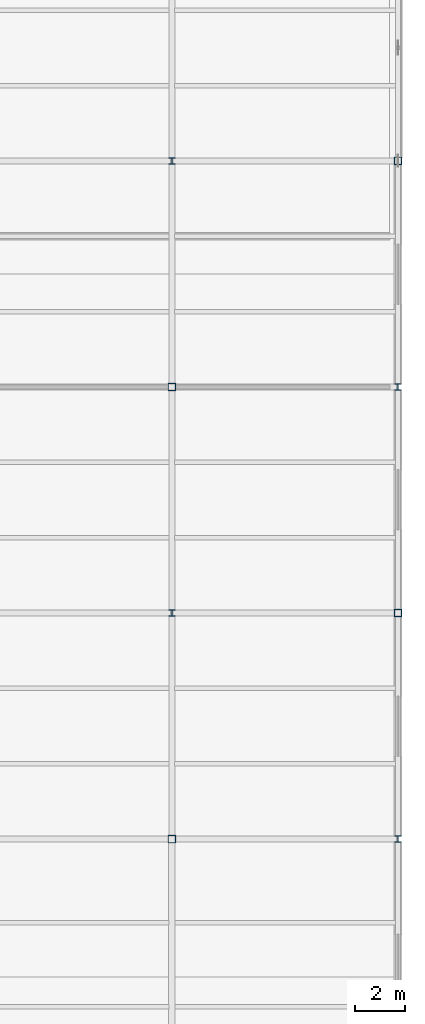
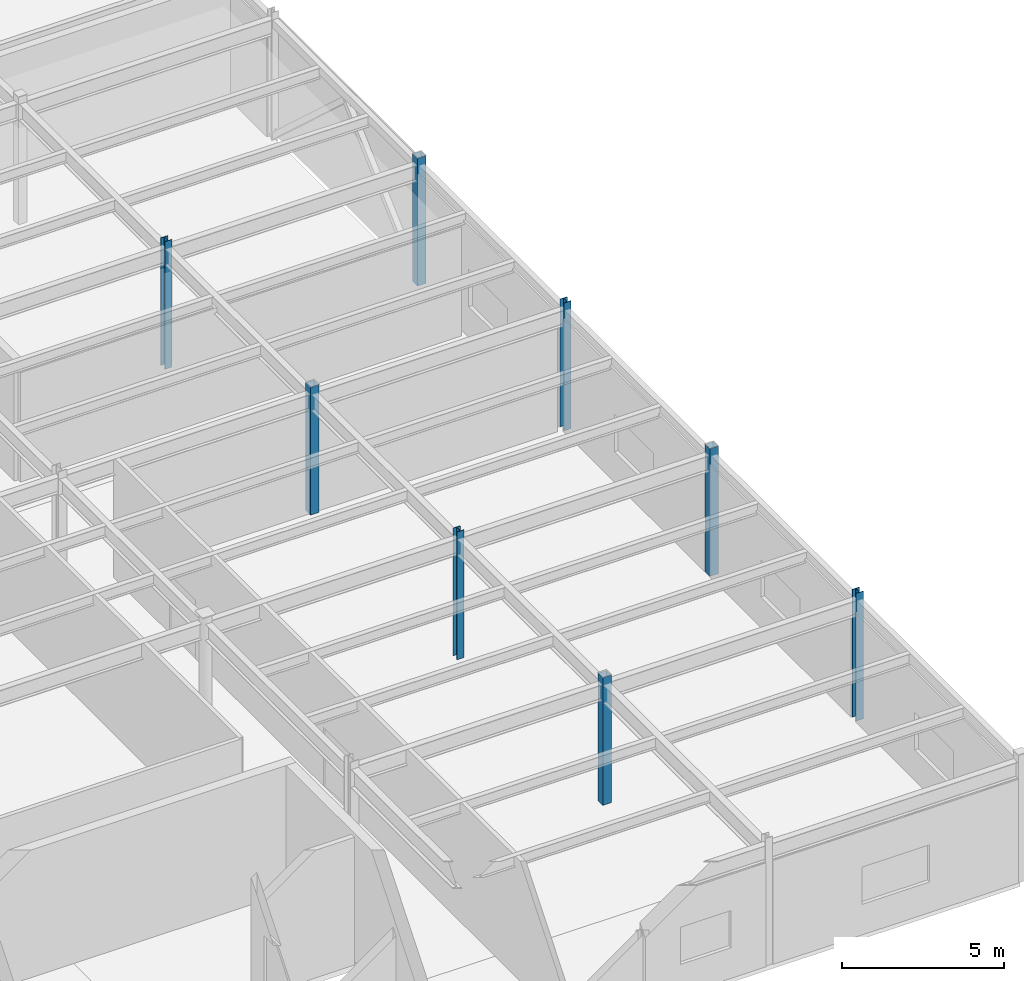
# One storey, part 20 of 86: 8 columns.
"""IFC4 building model written with IfcOpenShell, lengths in metres."""

import ifcopenshell
import ifcopenshell.guid

model = None  # the IFC model being written
_history = None  # IfcOwnerHistory: only IFC2X3 demands one
_inside = {}  # id of a spatial element -> (the spatial element, [elements in it])
_under = {}  # id of a project, library or spatial element -> (it, [spatial elements below it])
_declared = {}  # id of a project -> (the project, [libraries it declares])
_typed = {}  # id of a type object -> (the type object, [elements of that type])
_made_of = {}  # id of a material, layer set ... -> (it, [elements and type objects made of it])


def new_model(schema):
    """Start an empty IFC model of exactly this schema.

    Asked for "IFC4X3", IfcOpenShell would pick the latest addendum, in which some entities
    have other attributes; the version numbers below select the first issue.
    IFC2X3 requires an IfcOwnerHistory on every rooted entity: one is made here for all.
    """
    global model, _history
    if schema == "IFC4X3":
        model = ifcopenshell.file(schema_version=(4, 3, 0, 0))
    else:
        model = ifcopenshell.file(schema=schema)
    _inside.clear()
    _under.clear()
    _declared.clear()
    _typed.clear()
    _made_of.clear()
    _history = None
    if model.schema == "IFC2X3":
        org = make("IfcOrganization", Name="unknown")
        user = make(
            "IfcPersonAndOrganization",
            ThePerson=make("IfcPerson", FamilyName="unknown"),
            TheOrganization=org,
        )
        app = make(
            "IfcApplication",
            ApplicationDeveloper=org,
            Version="unknown",
            ApplicationFullName="unknown",
            ApplicationIdentifier="unknown",
        )
        _history = make(
            "IfcOwnerHistory",
            OwningUser=user,
            OwningApplication=app,
            ChangeAction="ADDED",
            CreationDate=0,
        )
    return model


def make(cls, **values):
    """One entity of the class cls with the attributes given. An attribute that is None is left unset."""
    return model.create_entity(
        cls, **{name: value for name, value in values.items() if value is not None}
    )


def rooted(cls, **values):
    """An entity with a GlobalId (a new one), such as an element, a storey or a relation."""
    return make(cls, GlobalId=ifcopenshell.guid.new(), OwnerHistory=_history, **values)


def si_unit(unit_type, name, prefix=None):
    """IfcSIUnit, for example si_unit("LENGTHUNIT", "METRE", prefix="MILLI")."""
    return make("IfcSIUnit", UnitType=unit_type, Prefix=prefix, Name=name)


def assignment(units):
    """IfcUnitAssignment: the units of a project."""
    return None if units is None else make("IfcUnitAssignment", Units=units)


def point(xyz):
    """IfcCartesianPoint."""
    return None if xyz is None else make("IfcCartesianPoint", Coordinates=xyz)


def direction(xyz):
    """IfcDirection."""
    return None if xyz is None else make("IfcDirection", DirectionRatios=xyz)


def frame(location, z_axis=None, x_axis=None):
    """IfcAxis2Placement3D, a coordinate frame: its origin and axes. An axis left out is left unset."""
    return make(
        "IfcAxis2Placement3D",
        Location=point(location),
        Axis=direction(z_axis),
        RefDirection=direction(x_axis),
    )


def frame_2d(location, x_axis=None):
    """IfcAxis2Placement2D, a coordinate frame in the plane: its origin and x axis."""
    return make(
        "IfcAxis2Placement2D", Location=point(location), RefDirection=direction(x_axis)
    )


def origin():
    """The frame at (0, 0, 0) with its axes left unset."""
    return frame((0.0, 0.0, 0.0))


def origin_2d():
    """The frame at (0, 0) in the plane with its x axis left unset."""
    return frame_2d((0.0, 0.0))


def place(relative_to, where):
    """IfcLocalPlacement: puts the frame where relative to a parent placement (None: the world)."""
    return make(
        "IfcLocalPlacement", PlacementRelTo=relative_to, RelativePlacement=where
    )


def context(
    kind, dimensions, precision=None, world=None, true_north=None, identifier=None
):
    """IfcGeometricRepresentationContext, for example the 3D "Model" context."""
    return make(
        "IfcGeometricRepresentationContext",
        ContextIdentifier=identifier,
        ContextType=kind,
        CoordinateSpaceDimension=dimensions,
        Precision=precision,
        WorldCoordinateSystem=world,
        TrueNorth=true_north,
    )


def subcontext(parent, identifier, kind, view, scale=None):
    """IfcGeometricRepresentationSubContext, for example "Body" below "Model"."""
    return make(
        "IfcGeometricRepresentationSubContext",
        ContextIdentifier=identifier,
        ContextType=kind,
        ParentContext=parent,
        TargetScale=scale,
        TargetView=view,
    )


def project(units=None, contexts=None):
    """IfcProject with its units and contexts."""
    return rooted(
        "IfcProject",
        Name="project",
        RepresentationContexts=contexts,
        UnitsInContext=assignment(units),
    )


def spatial(cls, under=None, at=None, **own):
    """A site, building, storey or space (cls), placed at a placement, below another one or the project."""
    s = rooted(cls, ObjectPlacement=at, **own)
    if under is not None:
        _under.setdefault(under.id(), (under, []))[1].append(s)
    return s


def profile(cls, at=None, kind="AREA", **sizes):
    """A parametric profile (cls). Its sizes go by their IFC names, for example OverallWidth=200.0."""
    return make(cls, ProfileType=kind, Position=at, **sizes)


def hollow_rectangle(**sizes):
    """IfcRectangleHollowProfileDef."""
    return profile("IfcRectangleHollowProfileDef", **sizes)


def i_section(**sizes):
    """IfcIShapeProfileDef."""
    return profile("IfcIShapeProfileDef", **sizes)


def extrude(swept, where, along, depth):
    """IfcExtrudedAreaSolid: the profile swept, set in the frame where, extruded along a direction by depth."""
    return make(
        "IfcExtrudedAreaSolid",
        SweptArea=swept,
        Position=where,
        ExtrudedDirection=direction(along),
        Depth=depth,
    )


def shape(context_of_items, identifier, shape_type, items):
    """IfcShapeRepresentation: the items that make up one representation, for example the "Body"."""
    return make(
        "IfcShapeRepresentation",
        ContextOfItems=context_of_items,
        RepresentationIdentifier=identifier,
        RepresentationType=shape_type,
        Items=items,
    )


def material(Name=None, Category=None):
    """IfcMaterial."""
    return make("IfcMaterial", Name=Name, Category=Category)


def material_profile(
    of_material, cross_section, Name=None, Category=None, Priority=None
):
    """IfcMaterialProfile: a cross section and its material."""
    return make(
        "IfcMaterialProfile",
        Name=Name,
        Material=of_material,
        Profile=cross_section,
        Priority=Priority,
        Category=Category,
    )


def profile_set(profiles, Name=None, composite=None):
    """IfcMaterialProfileSet."""
    return make(
        "IfcMaterialProfileSet",
        Name=Name,
        MaterialProfiles=profiles,
        CompositeProfile=composite,
    )


def made_of(thing, what):
    """Note that an element or type object is made of a material, layer set ...; save() writes the relation."""
    if what is not None:
        _made_of.setdefault(what.id(), (what, []))[1].append(thing)
    return thing


def type_object(cls, material=None, **own):
    """A type object (cls), such as IfcWallType, which elements share."""
    return made_of(rooted(cls, **own), material)


def element(
    cls,
    number,
    at=None,
    inside=None,
    cuts=None,
    type_object=None,
    material=None,
    context=None,
    identifier="Body",
    shape_type=None,
    held_by="IfcProductDefinitionShape",
    body=None,
    shapes=None,
    **own,
):
    """One element of the class cls, such as IfcWall. Its Tag is "e" and its number.

    at: its placement. inside: the storey or other place that contains it. cuts: it is an
    opening in that element (IfcRelVoidsElement). A single representation is given by context,
    identifier, shape_type and body (its items); several are given by shapes. held_by: the class
    of the entity that holds the representations. save() writes the other relations.
    """
    e = rooted(cls, Tag="e%d" % number, ObjectPlacement=at, **own)
    if body is not None:
        shapes = [shape(context, identifier, shape_type, body)]
    if shapes is not None:
        e.Representation = make(held_by, Representations=shapes)
    if inside is not None:
        _inside.setdefault(inside.id(), (inside, []))[1].append(e)
    if cuts is not None:
        rooted(
            "IfcRelVoidsElement", RelatingBuildingElement=cuts, RelatedOpeningElement=e
        )
    if type_object is not None:
        _typed.setdefault(type_object.id(), (type_object, []))[1].append(e)
    return made_of(e, material)


def aggregate(whole, parts):
    """IfcRelAggregates: a whole, such as a stair, and the parts it consists of."""
    return rooted("IfcRelAggregates", RelatingObject=whole, RelatedObjects=parts)


def save(model, path):
    """Write the relations noted so far, then the file.

    IfcRelAggregates (storeys below a building ...), IfcRelContainedInSpatialStructure (elements
    in a storey), IfcRelDefinesByType, IfcRelAssociatesMaterial and IfcRelDeclares: one each for
    every whole, place, type object, material and project.
    """
    for whole, parts in _under.values():
        aggregate(whole, parts)
    for where, things in _inside.values():
        rooted(
            "IfcRelContainedInSpatialStructure",
            RelatedElements=things,
            RelatingStructure=where,
        )
    for kind, things in _typed.values():
        rooted("IfcRelDefinesByType", RelatedObjects=things, RelatingType=kind)
    for what, things in _made_of.values():
        rooted("IfcRelAssociatesMaterial", RelatedObjects=things, RelatingMaterial=what)
    for by, libraries in _declared.values():
        rooted("IfcRelDeclares", RelatingContext=by, RelatedDefinitions=libraries)
    model.write(path)


model = new_model("IFC4")

# Units and contexts
model_context = context("Model", 3, precision=1e-05, world=origin(), true_north=direction((0.0, 1.0)))
body_context = subcontext(model_context, "Body", "Model", "MODEL_VIEW")
ifc_project = project(units=[si_unit("LENGTHUNIT", "METRE"), si_unit("AREAUNIT", "SQUARE_METRE"), si_unit("VOLUMEUNIT", "CUBIC_METRE"), si_unit("PLANEANGLEUNIT", "RADIAN"), si_unit("MASSUNIT", "GRAM", prefix="KILO")], contexts=[model_context])

# Site, building, storey
site_placement = place(None, origin())
site = spatial("IfcSite", under=ifc_project, at=site_placement, CompositionType="ELEMENT")
building_placement = place(site_placement, origin())
building = spatial("IfcBuilding", under=site, at=building_placement, Name="Glasvene Arena", CompositionType="ELEMENT")
storey_placement = place(building_placement, frame((0.0, 0.0, 5.39990234375)))
storey = spatial("IfcBuildingStorey", under=building, at=storey_placement, Name="L01", CompositionType="ELEMENT", Elevation=5.39990234375)

# Columns
ifc_material = material(Name="Steel S355J2", Category="steel")
ifc_material_profile_1 = material_profile(ifc_material, hollow_rectangle(XDim=0.300048828125, YDim=0.300048828125, WallThickness=0.012451171875, at=origin_2d()), Name="SHS 300x300x12.5")
ifc_profile_set_1 = profile_set([ifc_material_profile_1], Name="Steel S355J2")
column_type_1 = type_object("IfcColumnType", Name="COL-W-SHS300", PredefinedType="COLUMN", material=ifc_profile_set_1)
for number, where, z_axis, x_axis, name in (
    (1, (165.0, 64.0, 0.0), (0.0, 0.0, 1.0), (1.0, 0.0, 0.0), "Grid column 19-8 L01"),
    (2, (165.0, 82.0, 0.0), (0.0, 0.0, 1.0), (1.0, 0.0, 0.0), "Grid column 19-10 L01"),
    (3, (174.0, 73.0, 0.0), (0.0, 0.0, 1.0), (1.0, 0.0, 0.0), "Grid column 20-9 L01"),
    (4, (174.0, 91.0, 0.0), (0.0, 0.0, 1.0), (1.0, 0.0, 0.0), "Grid column 20-11 L01"),
):
    element("IfcColumn", number, at=place(storey_placement, frame(where, z_axis=z_axis, x_axis=x_axis)), inside=storey, type_object=column_type_1, Name=name, PredefinedType="COLUMN", context=body_context, shape_type="SweptSolid", body=[
        extrude(hollow_rectangle(XDim=0.300048828125, YDim=0.300048828125, WallThickness=0.012451171875, at=origin_2d()), origin(), (0.0, 0.0, 1.0), 4.800048828125),
    ])
ifc_material_profile_2 = material_profile(ifc_material, i_section(OverallWidth=0.25634765625, OverallDepth=0.26025390625, WebThickness=0.01025390625, FlangeThickness=0.017333984375, FilletRadius=0.0126953125, at=origin_2d()), Name="UKC 254x254x89")
ifc_profile_set_2 = profile_set([ifc_material_profile_2], Name="Steel S355J2")
column_type_2 = type_object("IfcColumnType", Name="COL-W-UKC89", PredefinedType="COLUMN", material=ifc_profile_set_2)
for number, where, z_axis, x_axis, name in (
    (5, (165.0, 73.0, 0.0), (0.0, 0.0, 1.0), (1.0, 0.0, 0.0), "Grid column 19-9 L01"),
    (6, (165.0, 91.0, 0.0), (0.0, 0.0, 1.0), (1.0, 0.0, 0.0), "Grid column 19-11 L01"),
    (7, (174.0, 64.0, 0.0), (0.0, 0.0, 1.0), (1.0, 0.0, 0.0), "Grid column 20-8 L01"),
    (8, (174.0, 82.0, 0.0), (0.0, 0.0, 1.0), (1.0, 0.0, 0.0), "Grid column 20-10 L01"),
):
    element("IfcColumn", number, at=place(storey_placement, frame(where, z_axis=z_axis, x_axis=x_axis)), inside=storey, type_object=column_type_2, Name=name, PredefinedType="COLUMN", context=body_context, shape_type="SweptSolid", body=[
        extrude(i_section(OverallWidth=0.25634765625, OverallDepth=0.26025390625, WebThickness=0.01025390625, FlangeThickness=0.017333984375, FilletRadius=0.0126953125, at=origin_2d()), origin(), (0.0, 0.0, 1.0), 4.800048828125),
    ])

save(model, "model.ifc")
